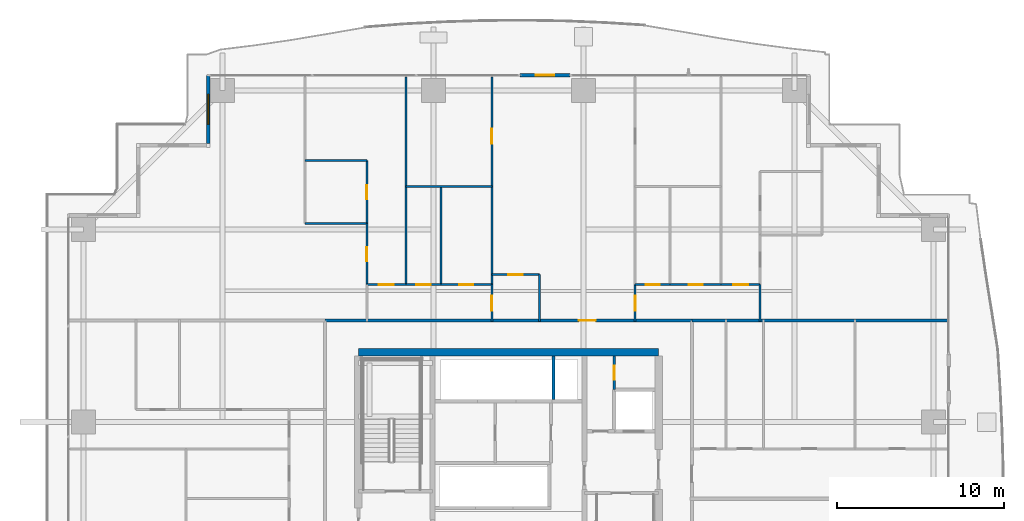
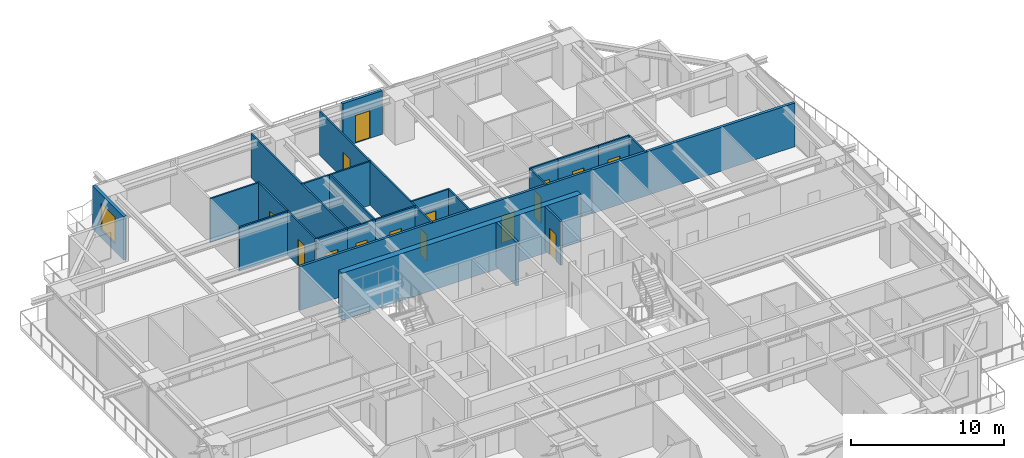
# One storey, part 30 of 38: 27 walls, 15 doors, 1 window, 16 openings.
"""IFC4 building model written with IfcOpenShell, lengths in metres."""

from ifc_helpers import new_model, si_unit, direction, frame, frame_2d, origin, place, context, subcontext, project, spatial, rectangle, extrude, source, transform, mapped, material, layer, layer_set, type_object, element, fill, save


model = new_model("IFC4")

# Units and contexts
model_context = context("Model", 3, precision=1e-05, world=origin(), true_north=direction((0.0, 1.0)))
body_context = subcontext(model_context, "Body", "Model", "MODEL_VIEW")
ifc_project = project(units=[si_unit("LENGTHUNIT", "METRE"), si_unit("AREAUNIT", "SQUARE_METRE"), si_unit("VOLUMEUNIT", "CUBIC_METRE"), si_unit("PLANEANGLEUNIT", "RADIAN"), si_unit("MASSUNIT", "GRAM", prefix="KILO")], contexts=[model_context])

# Site, building, storey
site_placement = place(None, origin())
site = spatial("IfcSite", under=ifc_project, at=site_placement, CompositionType="ELEMENT")
building_placement = place(site_placement, origin())
building = spatial("IfcBuilding", under=site, at=building_placement, Name="Serunith Strait Residences", CompositionType="ELEMENT")
storey_placement = place(building_placement, frame((0.0, 0.0, 52.949951171875)))
storey = spatial("IfcBuildingStorey", under=building, at=storey_placement, Name="L12", CompositionType="ELEMENT", Elevation=52.949951171875)

# Wall, opening, door
ifc_material_1 = material(Name="Pale-Champagne Aluminium Insulated Panel", Category="aluminium")
ifc_layer_1 = layer(ifc_material_1, 0.219970703125, Name="Pale-Champagne Aluminium Insulated Panel")
ifc_layer_set_1 = layer_set([ifc_layer_1], Name="Pale-Champagne Aluminium Insulated Panel")
wall_type_1 = type_object("IfcWallType", Name="EW-ALUM-220", PredefinedType="ELEMENTEDWALL", material=ifc_layer_set_1)
wall_1_placement = place(storey_placement, frame((36.10009765625, 50.199951171875, 0.0), z_axis=(0.0, 0.0, 1.0), x_axis=(-1.0, 0.0, 0.0)))
wall_1 = element("IfcWall", 1, at=wall_1_placement, inside=storey, type_object=wall_type_1, Name="L12 N Facade Pier Wall", PredefinedType="ELEMENTEDWALL", context=body_context, shape_type="SweptSolid", body=[
    extrude(rectangle(XDim=3.0, YDim=0.219970703125, at=frame_2d((1.5, 0.0))), origin(), (0.0, 0.0, 1.0), 3.47509765625),
])
opening_1_placement = place(wall_1_placement, frame((0.949951171875, 0.0, 0.0)))
opening_1 = element("IfcOpeningElement", 2, at=opening_1_placement, cuts=wall_1, Name="Opening ED-03", PredefinedType="OPENING", context=body_context, shape_type="SweptSolid", body=[
    extrude(rectangle(XDim=1.10009765625, YDim=2.199951171875, at=frame_2d((0.550048828125, 1.10009765625))), frame((0.0, 0.1201171875, 0.0), z_axis=(0.0, -1.0, 0.0), x_axis=(1.0, 0.0, 0.0)), (0.0, 0.0, 1.0), 0.239990234375),
])
ifc_material_2 = material(Name="Thermally-Broken Aluminium Glazed Balcony Door", Category="aluminium")
door_type_1 = type_object("IfcDoorType", Name="ED-BALC-1100", OperationType="NOTDEFINED", PredefinedType="DOOR", material=ifc_material_2)
shared_shape_1 = source(origin(), body_context, "Body", "SweptSolid", [
    extrude(rectangle(XDim=1.10009765625, YDim=2.199951171875, at=frame_2d((0.550048828125, 1.10009765625))), frame((0.0, 0.02490234375, 0.0), z_axis=(0.0, -1.0, 0.0), x_axis=(1.0, 0.0, 0.0)), (0.0, 0.0, 1.0), 0.050048828125),
])
door_1_placement = place(opening_1_placement, origin())
door_1 = element("IfcDoor", 3, at=door_1_placement, inside=storey, type_object=door_type_1, Name="L12 N Vertical-Forest Balcony Door", OperationType="SINGLE_SWING_RIGHT", OverallHeight=2.199951171875, OverallWidth=1.10009765625, PredefinedType="DOOR", context=body_context, shape_type="MappedRepresentation", body=[
    mapped(shared_shape_1, transform((0.0, 0.0, 0.0), scale=1.0)),
])
fill(opening_1, door_1)

# Wall, opening, window
wall_2_placement = place(storey_placement, frame((14.39990234375, 50.199951171875, 0.0), z_axis=(0.0, 0.0, 1.0), x_axis=(0.0, -1.0, 0.0)))
wall_2 = element("IfcWall", 4, at=wall_2_placement, inside=storey, type_object=wall_type_1, Name="L12 Girih Serrated Corner Wall 12", PredefinedType="ELEMENTEDWALL", context=body_context, shape_type="SweptSolid", body=[
    extrude(rectangle(XDim=4.08984375, YDim=0.219970703125, at=frame_2d((2.044921875, 0.0))), origin(), (0.0, 0.0, 1.0), 3.47509765625),
])
opening_2_placement = place(wall_2_placement, frame((1.14501953125, 0.0, 0.64990234375)))
opening_2 = element("IfcOpeningElement", 5, at=opening_2_placement, cuts=wall_2, Name="Opening W-01", PredefinedType="OPENING", context=body_context, shape_type="SweptSolid", body=[
    extrude(rectangle(XDim=1.800048828125, YDim=2.10009765625, at=frame_2d((0.89990234375, 1.050048828125))), frame((0.0, 0.1201171875, 0.0), z_axis=(0.0, -1.0, 0.0), x_axis=(1.0, 0.0, 0.0)), (0.0, 0.0, 1.0), 0.239990234375),
])
ifc_material_3 = material(Name="Ceramic-Fritted Operable Aluminium Window Glass", Category="aluminium")
window_type = type_object("IfcWindowType", Name="WIN-C1", PartitioningType="DOUBLE_PANEL_VERTICAL", PredefinedType="WINDOW", material=ifc_material_3)
shared_shape_2 = source(origin(), body_context, "Body", "SweptSolid", [
    extrude(rectangle(XDim=1.800048828125, YDim=2.10009765625, at=frame_2d((0.89990234375, 1.050048828125))), frame((0.0, 0.030029296875, 0.0), z_axis=(0.0, -1.0, 0.0), x_axis=(1.0, 0.0, 0.0)), (0.0, 0.0, 1.0), 0.06005859375),
])
window_placement = place(opening_2_placement, origin())
window = element("IfcWindow", 6, at=window_placement, inside=storey, type_object=window_type, Name="L12 Corner Operable Fritted Window 12", OverallHeight=2.10009765625, OverallWidth=1.800048828125, PartitioningType="SINGLE_PANEL", PredefinedType="WINDOW", context=body_context, shape_type="MappedRepresentation", body=[
    mapped(shared_shape_2, transform((0.0, 0.0, 0.0), scale=1.0)),
])
fill(opening_2, window)

# Wall, opening, door
ifc_material_4 = material(Name="Fire-rated masonry service closet wall", Category="masonry")
ifc_layer_2 = layer(ifc_material_4, 0.14990234375, Name="Fire-rated masonry service closet wall")
ifc_layer_set_2 = layer_set([ifc_layer_2], Name="Fire-rated masonry service closet wall")
wall_type_2 = type_object("IfcWallType", Name="IW-BOH-150", PredefinedType="PARTITIONING", material=ifc_layer_set_2)
wall_3_placement = place(storey_placement, frame((38.75, 31.35205078125, 0.0), z_axis=(0.0, 0.0, 1.0), x_axis=(0.0, 1.0, 0.0)))
wall_3 = element("IfcWall", 7, at=wall_3_placement, inside=storey, type_object=wall_type_2, Name="L12 Partition Wall 012", PredefinedType="PARTITIONING", context=body_context, shape_type="SweptSolid", body=[
    extrude(rectangle(XDim=2.02294921875, YDim=0.14990234375, at=frame_2d((1.011474609375, 0.0))), origin(), (0.0, 0.0, 1.0), 3.489990234375),
])
opening_3_placement = place(wall_3_placement, frame((0.5859375, 0.0, 0.0)))
opening_3 = element("IfcOpeningElement", 8, at=opening_3_placement, cuts=wall_3, Name="Opening FD-850", PredefinedType="OPENING", context=body_context, shape_type="SweptSolid", body=[
    extrude(rectangle(XDim=0.85009765625, YDim=2.10009765625, at=frame_2d((0.425048828125, 1.050048828125))), frame((0.0, 0.0849609375, 0.0), z_axis=(0.0, -1.0, 0.0), x_axis=(1.0, 0.0, 0.0)), (0.0, 0.0, 1.0), 0.169921875),
])
ifc_material_5 = material(Name="Powder-coated steel service closet door", Category="steel")
door_type_2 = type_object("IfcDoorType", Name="FD-BOH-850", OperationType="NOTDEFINED", PredefinedType="DOOR", material=ifc_material_5)
shared_shape_3 = source(origin(), body_context, "Body", "SweptSolid", [
    extrude(rectangle(XDim=0.85009765625, YDim=2.10009765625, at=frame_2d((0.425048828125, 1.050048828125))), frame((0.0, 0.02490234375, 0.0), z_axis=(0.0, -1.0, 0.0), x_axis=(1.0, 0.0, 0.0)), (0.0, 0.0, 1.0), 0.050048828125),
])
door_2_placement = place(opening_3_placement, origin())
door_2 = element("IfcDoor", 9, at=door_2_placement, inside=storey, type_object=door_type_2, Name="L12 ELV Data Closet Door", OperationType="SINGLE_SWING_RIGHT", OverallHeight=2.10009765625, OverallWidth=0.85009765625, PredefinedType="DOOR", context=body_context, shape_type="MappedRepresentation", body=[
    mapped(shared_shape_3, transform((0.0, 0.0, 0.0), scale=1.0)),
])
fill(opening_3, door_2)

ifc_material_6 = material(Name="Fire-rated acoustic gypsum partition")
ifc_layer_3 = layer(ifc_material_6, 0.179931640625, Name="Fire-rated acoustic gypsum partition")
ifc_layer_set_3 = layer_set([ifc_layer_3], Name="Fire-rated acoustic gypsum partition")
wall_type_3 = type_object("IfcWallType", Name="IW-CORR-180", PredefinedType="PARTITIONING", material=ifc_layer_set_3)
wall_4_placement = place(storey_placement, frame((21.402099609375, 35.5, 0.0), z_axis=(0.0, 0.0, 1.0), x_axis=(1.0, 0.0, 0.0)))
wall_4 = element("IfcWall", 10, at=wall_4_placement, inside=storey, type_object=wall_type_3, Name="L12 Partition Wall 023", PredefinedType="PARTITIONING", context=body_context, shape_type="SweptSolid", body=[
    extrude(rectangle(XDim=21.995849609375, YDim=0.179931640625, at=frame_2d((10.998046875, 0.0))), origin(), (0.0, 0.0, 1.0), 3.489990234375),
])
opening_4_placement = place(wall_4_placement, frame((15.221923828125, 0.0, 0.0)))
opening_4 = element("IfcOpeningElement", 11, at=opening_4_placement, cuts=wall_4, Name="Opening D-APT1000", PredefinedType="OPENING", context=body_context, shape_type="SweptSolid", body=[
    extrude(rectangle(XDim=1.0, YDim=2.14990234375, at=frame_2d((0.5, 1.074951171875))), frame((0.0, 0.10009765625, 0.0), z_axis=(0.0, -1.0, 0.0), x_axis=(1.0, 0.0, 0.0)), (0.0, 0.0, 1.0), 0.199951171875),
])
ifc_material_7 = material(Name="Solid timber engineered fire door", Category="wood")
door_type_3 = type_object("IfcDoorType", Name="ID-APT-1000", OperationType="NOTDEFINED", PredefinedType="DOOR", material=ifc_material_7)
shared_shape_4 = source(origin(), body_context, "Body", "SweptSolid", [
    extrude(rectangle(XDim=1.0, YDim=2.14990234375, at=frame_2d((0.5, 1.074951171875))), frame((0.0, 0.02490234375, 0.0), z_axis=(0.0, -1.0, 0.0), x_axis=(1.0, 0.0, 0.0)), (0.0, 0.0, 1.0), 0.050048828125),
])
door_3_placement = place(opening_4_placement, origin())
door_3 = element("IfcDoor", 12, at=door_3_placement, inside=storey, type_object=door_type_3, Name="L12 Unit 04 Entrance Door", OperationType="SINGLE_SWING_RIGHT", OverallHeight=2.14990234375, OverallWidth=1.0, PredefinedType="DOOR", context=body_context, shape_type="MappedRepresentation", body=[
    mapped(shared_shape_4, transform((0.0, 0.0, 0.0), scale=1.0)),
])
fill(opening_4, door_3)

ifc_material_8 = material(Name="Lightweight steel-stud gypsum partition", Category="steel")
ifc_layer_4 = layer(ifc_material_8, 0.1201171875, Name="Lightweight steel-stud gypsum partition")
ifc_layer_set_4 = layer_set([ifc_layer_4], Name="Lightweight steel-stud gypsum partition")
wall_type_4 = type_object("IfcWallType", Name="IW-PART-120", PredefinedType="PARTITIONING", material=ifc_layer_set_4)
wall_5_placement = place(storey_placement, frame((31.39990234375, 38.25, 0.0), z_axis=(0.0, 0.0, 1.0), x_axis=(1.0, 0.0, 0.0)))
wall_5 = element("IfcWall", 13, at=wall_5_placement, inside=storey, type_object=wall_type_4, Name="L12 Partition Wall 063", PredefinedType="PARTITIONING", context=body_context, shape_type="SweptSolid", body=[
    extrude(rectangle(XDim=2.85009765625, YDim=0.1201171875, at=frame_2d((1.425048828125, 0.0))), origin(), (0.0, 0.0, 1.0), 3.489990234375),
])
opening_5_placement = place(wall_5_placement, frame((1.0, 0.0, 0.0)))
opening_5 = element("IfcOpeningElement", 14, at=opening_5_placement, cuts=wall_5, Name="Opening D-RM850", PredefinedType="OPENING", context=body_context, shape_type="SweptSolid", body=[
    extrude(rectangle(XDim=0.85009765625, YDim=2.10009765625, at=frame_2d((0.425048828125, 1.050048828125))), frame((0.0, 0.070068359375, 0.0), z_axis=(0.0, -1.0, 0.0), x_axis=(1.0, 0.0, 0.0)), (0.0, 0.0, 1.0), 0.14013671875),
])
ifc_material_9 = material(Name="Engineered timber flush study and kitchen door", Category="wood")
door_type_4 = type_object("IfcDoorType", Name="ID-ROOM-850", OperationType="NOTDEFINED", PredefinedType="DOOR", material=ifc_material_9)
door_4_placement = place(opening_5_placement, origin())
door_4 = element("IfcDoor", 15, at=door_4_placement, inside=storey, type_object=door_type_4, Name="L12 Kitchen 1204 Door", OperationType="SINGLE_SWING_RIGHT", OverallHeight=2.10009765625, OverallWidth=0.85009765625, PredefinedType="DOOR", context=body_context, shape_type="MappedRepresentation", body=[
    mapped(shared_shape_3, transform((0.0, 0.0, 0.0), scale=1.0)),
])
fill(opening_5, door_4)

# Wall
wall_6_placement = place(storey_placement, frame((34.25, 38.25, 0.0), z_axis=(0.0, 0.0, 1.0), x_axis=(0.0, -1.0, 0.0)))
element("IfcWall", 16, at=wall_6_placement, inside=storey, type_object=wall_type_4, Name="L12 Partition Wall 064", PredefinedType="PARTITIONING", context=body_context, shape_type="SweptSolid", body=[
    extrude(rectangle(XDim=2.81005859375, YDim=0.1201171875, at=frame_2d((1.405029296875, 0.0))), origin(), (0.0, 0.0, 1.0), 3.489990234375),
])

# Wall, opening, door
wall_7_placement = place(storey_placement, frame((31.39990234375, 37.64990234375, 0.0), z_axis=(0.0, 0.0, 1.0), x_axis=(0.0, -1.0, 0.0)))
wall_7 = element("IfcWall", 17, at=wall_7_placement, inside=storey, type_object=wall_type_4, Name="L12 Partition Wall 065", PredefinedType="PARTITIONING", context=body_context, shape_type="SweptSolid", body=[
    extrude(rectangle(XDim=2.2099609375, YDim=0.1201171875, at=frame_2d((1.10498046875, 0.0))), origin(), (0.0, 0.0, 1.0), 3.489990234375),
])
opening_6_placement = place(wall_7_placement, frame((0.655029296875, 0.0, 0.0)))
opening_6 = element("IfcOpeningElement", 18, at=opening_6_placement, cuts=wall_7, Name="Opening D-RM900", PredefinedType="OPENING", context=body_context, shape_type="SweptSolid", body=[
    extrude(rectangle(XDim=0.89990234375, YDim=2.10009765625, at=frame_2d((0.449951171875, 1.050048828125))), frame((0.0, 0.070068359375, 0.0), z_axis=(0.0, -1.0, 0.0), x_axis=(1.0, 0.0, 0.0)), (0.0, 0.0, 1.0), 0.14013671875),
])
ifc_material_10 = material(Name="Engineered timber flush bedroom door", Category="wood")
door_type_5 = type_object("IfcDoorType", Name="ID-ROOM-900", OperationType="NOTDEFINED", PredefinedType="DOOR", material=ifc_material_10)
shared_shape_5 = source(origin(), body_context, "Body", "SweptSolid", [
    extrude(rectangle(XDim=0.89990234375, YDim=2.10009765625, at=frame_2d((0.449951171875, 1.050048828125))), frame((0.0, 0.02490234375, 0.0), z_axis=(0.0, -1.0, 0.0), x_axis=(1.0, 0.0, 0.0)), (0.0, 0.0, 1.0), 0.050048828125),
])
door_5_placement = place(opening_6_placement, origin())
door_5 = element("IfcDoor", 19, at=door_5_placement, inside=storey, type_object=door_type_5, Name="L12 Hall W 1204 Door", OperationType="SINGLE_SWING_LEFT", OverallHeight=2.10009765625, OverallWidth=0.89990234375, PredefinedType="DOOR", context=body_context, shape_type="MappedRepresentation", body=[
    mapped(shared_shape_5, transform((0.0, 0.0, 0.0), scale=1.0)),
])
fill(opening_6, door_5)

wall_8_placement = place(storey_placement, frame((31.39990234375, 50.10498046875, 0.0), z_axis=(0.0, 0.0, 1.0), x_axis=(0.0, -1.0, 0.0)))
wall_8 = element("IfcWall", 20, at=wall_8_placement, inside=storey, type_object=wall_type_4, Name="L12 Partition Wall 066", PredefinedType="PARTITIONING", context=body_context, shape_type="SweptSolid", body=[
    extrude(rectangle(XDim=6.56494140625, YDim=0.1201171875, at=frame_2d((3.282470703125, 0.0))), origin(), (0.0, 0.0, 1.0), 3.489990234375),
])
opening_7_placement = place(wall_8_placement, frame((3.115966796875, 0.0, 0.0)))
opening_7 = element("IfcOpeningElement", 21, at=opening_7_placement, cuts=wall_8, Name="Opening D-RM900", PredefinedType="OPENING", context=body_context, shape_type="SweptSolid", body=[
    extrude(rectangle(XDim=0.89990234375, YDim=2.10009765625, at=frame_2d((0.449951171875, 1.050048828125))), frame((0.0, 0.070068359375, 0.0), z_axis=(0.0, -1.0, 0.0), x_axis=(1.0, 0.0, 0.0)), (0.0, 0.0, 1.0), 0.14013671875),
])
door_6_placement = place(opening_7_placement, origin())
door_6 = element("IfcDoor", 22, at=door_6_placement, inside=storey, type_object=door_type_5, Name="L12 Formal Dining Room 1 1204 Door", OperationType="SINGLE_SWING_RIGHT", OverallHeight=2.10009765625, OverallWidth=0.89990234375, PredefinedType="DOOR", context=body_context, shape_type="MappedRepresentation", body=[
    mapped(shared_shape_5, transform((0.0, 0.0, 0.0), scale=1.0)),
])
fill(opening_7, door_6)

# Walls
wall_9_placement = place(storey_placement, frame((31.39990234375, 43.5380859375, 0.0), z_axis=(0.0, 0.0, 1.0), x_axis=(0.0, -1.0, 0.0)))
element("IfcWall", 23, at=wall_9_placement, inside=storey, type_object=wall_type_4, Name="L12 Partition Wall 067", PredefinedType="PARTITIONING", context=body_context, shape_type="SweptSolid", body=[
    extrude(rectangle(XDim=5.885986328125, YDim=0.1201171875, at=frame_2d((2.94287109375, 0.0))), origin(), (0.0, 0.0, 1.0), 3.489990234375),
])
wall_10_placement = place(storey_placement, frame((26.25, 43.5400390625, 0.0), z_axis=(0.0, 0.0, 1.0), x_axis=(1.0, 0.0, 0.0)))
element("IfcWall", 24, at=wall_10_placement, inside=storey, type_object=wall_type_4, Name="L12 Partition Wall 068", PredefinedType="PARTITIONING", context=body_context, shape_type="SweptSolid", body=[
    extrude(rectangle(XDim=5.14990234375, YDim=0.1201171875, at=frame_2d((2.574951171875, 0.0))), origin(), (0.0, 0.0, 1.0), 3.489990234375),
])
wall_11_placement = place(storey_placement, frame((26.25, 50.10498046875, 0.0), z_axis=(0.0, 0.0, 1.0), x_axis=(0.0, -1.0, 0.0)))
element("IfcWall", 25, at=wall_11_placement, inside=storey, type_object=wall_type_4, Name="L12 Partition Wall 069", PredefinedType="PARTITIONING", context=body_context, shape_type="SweptSolid", body=[
    extrude(rectangle(XDim=12.455078125, YDim=0.1201171875, at=frame_2d((6.2275390625, 0.0))), origin(), (0.0, 0.0, 1.0), 3.489990234375),
])
wall_12_placement = place(storey_placement, frame((28.35009765625, 43.5400390625, 0.0), z_axis=(0.0, 0.0, 1.0), x_axis=(0.0, -1.0, 0.0)))
element("IfcWall", 26, at=wall_12_placement, inside=storey, type_object=wall_type_4, Name="L12 Partition Wall 070", PredefinedType="PARTITIONING", context=body_context, shape_type="SweptSolid", body=[
    extrude(rectangle(XDim=5.89013671875, YDim=0.1201171875, at=frame_2d((2.945068359375, 0.0))), origin(), (0.0, 0.0, 1.0), 3.489990234375),
])

# Wall, opening, door
wall_13_placement = place(storey_placement, frame((26.25, 37.64990234375, 0.0), z_axis=(0.0, 0.0, 1.0), x_axis=(1.0, 0.0, 0.0)))
wall_13 = element("IfcWall", 27, at=wall_13_placement, inside=storey, type_object=wall_type_4, Name="L12 Partition Wall 071", PredefinedType="PARTITIONING", context=body_context, shape_type="SweptSolid", body=[
    extrude(rectangle(XDim=2.10009765625, YDim=0.1201171875, at=frame_2d((1.050048828125, 0.0))), origin(), (0.0, 0.0, 1.0), 3.489990234375),
])
opening_8_placement = place(wall_13_placement, frame((0.625, 0.0, 0.0)))
opening_8 = element("IfcOpeningElement", 28, at=opening_8_placement, cuts=wall_13, Name="Opening D-BTH850", PredefinedType="OPENING", context=body_context, shape_type="SweptSolid", body=[
    extrude(rectangle(XDim=0.85009765625, YDim=2.10009765625, at=frame_2d((0.425048828125, 1.050048828125))), frame((0.0, 0.070068359375, 0.0), z_axis=(0.0, -1.0, 0.0), x_axis=(1.0, 0.0, 0.0)), (0.0, 0.0, 1.0), 0.14013671875),
])
ifc_material_11 = material(Name="Moisture-resistant timber bathroom door", Category="wood")
door_type_6 = type_object("IfcDoorType", Name="ID-BATH-850", OperationType="NOTDEFINED", PredefinedType="DOOR", material=ifc_material_11)
door_7_placement = place(opening_8_placement, origin())
door_7 = element("IfcDoor", 29, at=door_7_placement, inside=storey, type_object=door_type_6, Name="L12 Bathroom 1204 Door", OperationType="SINGLE_SWING_LEFT", OverallHeight=2.10009765625, OverallWidth=0.85009765625, PredefinedType="DOOR", context=body_context, shape_type="MappedRepresentation", body=[
    mapped(shared_shape_3, transform((0.0, 0.0, 0.0), scale=1.0)),
])
fill(opening_8, door_7)

wall_14_placement = place(storey_placement, frame((28.35205078125, 37.64990234375, 0.0), z_axis=(0.0, 0.0, 1.0), x_axis=(1.0, 0.0, 0.0)))
wall_14 = element("IfcWall", 30, at=wall_14_placement, inside=storey, type_object=wall_type_4, Name="L12 Partition Wall 072", PredefinedType="PARTITIONING", context=body_context, shape_type="SweptSolid", body=[
    extrude(rectangle(XDim=3.0478515625, YDim=0.1201171875, at=frame_2d((1.52392578125, 0.0))), origin(), (0.0, 0.0, 1.0), 3.489990234375),
])
opening_9_placement = place(wall_14_placement, frame((1.09912109375, 0.0, 0.0)))
opening_9 = element("IfcOpeningElement", 31, at=opening_9_placement, cuts=wall_14, Name="Opening D-RM850", PredefinedType="OPENING", context=body_context, shape_type="SweptSolid", body=[
    extrude(rectangle(XDim=0.85009765625, YDim=2.10009765625, at=frame_2d((0.425048828125, 1.050048828125))), frame((0.0, 0.070068359375, 0.0), z_axis=(0.0, -1.0, 0.0), x_axis=(1.0, 0.0, 0.0)), (0.0, 0.0, 1.0), 0.14013671875),
])
door_8_placement = place(opening_9_placement, origin())
door_8 = element("IfcDoor", 32, at=door_8_placement, inside=storey, type_object=door_type_4, Name="L12 Formal Dining Room 1204 Door", OperationType="SINGLE_SWING_RIGHT", OverallHeight=2.10009765625, OverallWidth=0.85009765625, PredefinedType="DOOR", context=body_context, shape_type="MappedRepresentation", body=[
    mapped(shared_shape_3, transform((0.0, 0.0, 0.0), scale=1.0)),
])
fill(opening_9, door_8)

wall_15_placement = place(storey_placement, frame((23.89990234375, 37.64990234375, 0.0), z_axis=(0.0, 0.0, 1.0), x_axis=(1.0, 0.0, 0.0)))
wall_15 = element("IfcWall", 33, at=wall_15_placement, inside=storey, type_object=wall_type_4, Name="L12 Partition Wall 073", PredefinedType="PARTITIONING", context=body_context, shape_type="SweptSolid", body=[
    extrude(rectangle(XDim=2.34814453125, YDim=0.1201171875, at=frame_2d((1.174072265625, 0.0))), origin(), (0.0, 0.0, 1.0), 3.489990234375),
])
opening_10_placement = place(wall_15_placement, frame((0.72412109375, 0.0, 0.0)))
opening_10 = element("IfcOpeningElement", 34, at=opening_10_placement, cuts=wall_15, Name="Opening D-RM900", PredefinedType="OPENING", context=body_context, shape_type="SweptSolid", body=[
    extrude(rectangle(XDim=0.89990234375, YDim=2.10009765625, at=frame_2d((0.449951171875, 1.050048828125))), frame((0.0, 0.070068359375, 0.0), z_axis=(0.0, -1.0, 0.0), x_axis=(1.0, 0.0, 0.0)), (0.0, 0.0, 1.0), 0.14013671875),
])
door_9_placement = place(opening_10_placement, origin())
door_9 = element("IfcDoor", 35, at=door_9_placement, inside=storey, type_object=door_type_5, Name="L12 Master Bedroom W 1204 Door", OperationType="SINGLE_SWING_LEFT", OverallHeight=2.10009765625, OverallWidth=0.89990234375, PredefinedType="DOOR", context=body_context, shape_type="MappedRepresentation", body=[
    mapped(shared_shape_5, transform((0.0, 0.0, 0.0), scale=1.0)),
])
fill(opening_10, door_9)

# Walls
for number, where, z_axis, x_axis, name in (
    (36, (20.199951171875, 45.091064453125, 0.0), (0.0, 0.0, 1.0), (1.0, 0.0, 0.0), "L12 Partition Wall 074"),
    (37, (20.199951171875, 41.306884765625, 0.0), (0.0, 0.0, 1.0), (1.0, 0.0, 0.0), "L12 Partition Wall 076"),
):
    element("IfcWall", number, at=place(storey_placement, frame(where, z_axis=z_axis, x_axis=x_axis)), inside=storey, type_object=wall_type_4, Name=name, PredefinedType="PARTITIONING", context=body_context, shape_type="SweptSolid", body=[
        extrude(rectangle(XDim=3.699951171875, YDim=0.1201171875, at=frame_2d((1.85009765625, 0.0))), origin(), (0.0, 0.0, 1.0), 3.489990234375),
    ])

# Wall, opening, door
wall_16_placement = place(storey_placement, frame((23.89990234375, 45.091064453125, 0.0), z_axis=(0.0, 0.0, 1.0), x_axis=(0.0, -1.0, 0.0)))
wall_16 = element("IfcWall", 38, at=wall_16_placement, inside=storey, type_object=wall_type_4, Name="L12 Partition Wall 077", PredefinedType="PARTITIONING", context=body_context, shape_type="SweptSolid", body=[
    extrude(rectangle(XDim=3.7841796875, YDim=0.1201171875, at=frame_2d((1.89208984375, 0.0))), origin(), (0.0, 0.0, 1.0), 3.489990234375),
])
opening_11_placement = place(wall_16_placement, frame((1.467041015625, 0.0, 0.0)))
opening_11 = element("IfcOpeningElement", 39, at=opening_11_placement, cuts=wall_16, Name="Opening D-BTH850", PredefinedType="OPENING", context=body_context, shape_type="SweptSolid", body=[
    extrude(rectangle(XDim=0.85009765625, YDim=2.10009765625, at=frame_2d((0.425048828125, 1.050048828125))), frame((0.0, 0.070068359375, 0.0), z_axis=(0.0, -1.0, 0.0), x_axis=(1.0, 0.0, 0.0)), (0.0, 0.0, 1.0), 0.14013671875),
])
door_10_placement = place(opening_11_placement, origin())
door_10 = element("IfcDoor", 40, at=door_10_placement, inside=storey, type_object=door_type_6, Name="L12 En-suite Bathroom W 1204 Door", OperationType="SINGLE_SWING_RIGHT", OverallHeight=2.10009765625, OverallWidth=0.85009765625, PredefinedType="DOOR", context=body_context, shape_type="MappedRepresentation", body=[
    mapped(shared_shape_3, transform((0.0, 0.0, 0.0), scale=1.0)),
])
fill(opening_11, door_10)

wall_17_placement = place(storey_placement, frame((23.89990234375, 41.304931640625, 0.0), z_axis=(0.0, 0.0, 1.0), x_axis=(0.0, -1.0, 0.0)))
wall_17 = element("IfcWall", 41, at=wall_17_placement, inside=storey, type_object=wall_type_4, Name="L12 Partition Wall 078", PredefinedType="PARTITIONING", context=body_context, shape_type="SweptSolid", body=[
    extrude(rectangle(XDim=3.655029296875, YDim=0.1201171875, at=frame_2d((1.82763671875, 0.0))), origin(), (0.0, 0.0, 1.0), 3.489990234375),
])
opening_12_placement = place(wall_17_placement, frame((1.403076171875, 0.0, 0.0)))
opening_12 = element("IfcOpeningElement", 42, at=opening_12_placement, cuts=wall_17, Name="Opening D-RM850", PredefinedType="OPENING", context=body_context, shape_type="SweptSolid", body=[
    extrude(rectangle(XDim=0.85009765625, YDim=2.10009765625, at=frame_2d((0.425048828125, 1.050048828125))), frame((0.0, 0.070068359375, 0.0), z_axis=(0.0, -1.0, 0.0), x_axis=(1.0, 0.0, 0.0)), (0.0, 0.0, 1.0), 0.14013671875),
])
door_11_placement = place(opening_12_placement, origin())
door_11 = element("IfcDoor", 43, at=door_11_placement, inside=storey, type_object=door_type_4, Name="L12 Wardrobe W 1204 Door", OperationType="SINGLE_SWING_LEFT", OverallHeight=2.10009765625, OverallWidth=0.85009765625, PredefinedType="DOOR", context=body_context, shape_type="MappedRepresentation", body=[
    mapped(shared_shape_3, transform((0.0, 0.0, 0.0), scale=1.0)),
])
fill(opening_12, door_11)

wall_18_placement = place(storey_placement, frame((40.0, 37.64990234375, 0.0), z_axis=(0.0, 0.0, 1.0), x_axis=(0.0, -1.0, 0.0)))
wall_18 = element("IfcWall", 44, at=wall_18_placement, inside=storey, type_object=wall_type_4, Name="L12 Partition Wall 080", PredefinedType="PARTITIONING", context=body_context, shape_type="SweptSolid", body=[
    extrude(rectangle(XDim=2.2099609375, YDim=0.1201171875, at=frame_2d((1.10498046875, 0.0))), origin(), (0.0, 0.0, 1.0), 3.489990234375),
])
opening_13_placement = place(wall_18_placement, frame((0.655029296875, 0.0, 0.0)))
opening_13 = element("IfcOpeningElement", 45, at=opening_13_placement, cuts=wall_18, Name="Opening D-RM900", PredefinedType="OPENING", context=body_context, shape_type="SweptSolid", body=[
    extrude(rectangle(XDim=0.89990234375, YDim=2.10009765625, at=frame_2d((0.449951171875, 1.050048828125))), frame((0.0, 0.070068359375, 0.0), z_axis=(0.0, -1.0, 0.0), x_axis=(1.0, 0.0, 0.0)), (0.0, 0.0, 1.0), 0.14013671875),
])
door_12_placement = place(opening_13_placement, origin())
door_12 = element("IfcDoor", 46, at=door_12_placement, inside=storey, type_object=door_type_5, Name="L12 Hall E 1204 Door", OperationType="SINGLE_SWING_RIGHT", OverallHeight=2.10009765625, OverallWidth=0.89990234375, PredefinedType="DOOR", context=body_context, shape_type="MappedRepresentation", body=[
    mapped(shared_shape_5, transform((0.0, 0.0, 0.0), scale=1.0)),
])
fill(opening_13, door_12)

wall_19_placement = place(storey_placement, frame((40.0, 37.64990234375, 0.0), z_axis=(0.0, 0.0, 1.0), x_axis=(1.0, 0.0, 0.0)))
wall_19 = element("IfcWall", 47, at=wall_19_placement, inside=storey, type_object=wall_type_4, Name="L12 Partition Wall 086", PredefinedType="PARTITIONING", context=body_context, shape_type="SweptSolid", body=[
    extrude(rectangle(XDim=2.10009765625, YDim=0.1201171875, at=frame_2d((1.050048828125, 0.0))), origin(), (0.0, 0.0, 1.0), 3.489990234375),
])
opening_14_placement = place(wall_19_placement, frame((0.625, 0.0, 0.0)))
opening_14 = element("IfcOpeningElement", 48, at=opening_14_placement, cuts=wall_19, Name="Opening D-RM850", PredefinedType="OPENING", context=body_context, shape_type="SweptSolid", body=[
    extrude(rectangle(XDim=0.85009765625, YDim=2.10009765625, at=frame_2d((0.425048828125, 1.050048828125))), frame((0.0, 0.070068359375, 0.0), z_axis=(0.0, -1.0, 0.0), x_axis=(1.0, 0.0, 0.0)), (0.0, 0.0, 1.0), 0.14013671875),
])
door_13_placement = place(opening_14_placement, origin())
door_13 = element("IfcDoor", 49, at=door_13_placement, inside=storey, type_object=door_type_4, Name="L12 Study 1204 Door", OperationType="SINGLE_SWING_RIGHT", OverallHeight=2.10009765625, OverallWidth=0.85009765625, PredefinedType="DOOR", context=body_context, shape_type="MappedRepresentation", body=[
    mapped(shared_shape_3, transform((0.0, 0.0, 0.0), scale=1.0)),
])
fill(opening_14, door_13)

wall_20_placement = place(storey_placement, frame((42.10205078125, 37.64990234375, 0.0), z_axis=(0.0, 0.0, 1.0), x_axis=(1.0, 0.0, 0.0)))
wall_20 = element("IfcWall", 50, at=wall_20_placement, inside=storey, type_object=wall_type_4, Name="L12 Partition Wall 087", PredefinedType="PARTITIONING", context=body_context, shape_type="SweptSolid", body=[
    extrude(rectangle(XDim=3.0478515625, YDim=0.1201171875, at=frame_2d((1.52392578125, 0.0))), origin(), (0.0, 0.0, 1.0), 3.489990234375),
])
opening_15_placement = place(wall_20_placement, frame((1.09912109375, 0.0, 0.0)))
opening_15 = element("IfcOpeningElement", 51, at=opening_15_placement, cuts=wall_20, Name="Opening D-RM850", PredefinedType="OPENING", context=body_context, shape_type="SweptSolid", body=[
    extrude(rectangle(XDim=0.85009765625, YDim=2.10009765625, at=frame_2d((0.425048828125, 1.050048828125))), frame((0.0, 0.070068359375, 0.0), z_axis=(0.0, -1.0, 0.0), x_axis=(1.0, 0.0, 0.0)), (0.0, 0.0, 1.0), 0.14013671875),
])
door_14_placement = place(opening_15_placement, origin())
door_14 = element("IfcDoor", 52, at=door_14_placement, inside=storey, type_object=door_type_4, Name="L12 Formal Dining Room 1204 Door", OperationType="SINGLE_SWING_LEFT", OverallHeight=2.10009765625, OverallWidth=0.85009765625, PredefinedType="DOOR", context=body_context, shape_type="MappedRepresentation", body=[
    mapped(shared_shape_3, transform((0.0, 0.0, 0.0), scale=1.0)),
])
fill(opening_15, door_14)

wall_21_placement = place(storey_placement, frame((45.152099609375, 37.64990234375, 0.0), z_axis=(0.0, 0.0, 1.0), x_axis=(1.0, 0.0, 0.0)))
wall_21 = element("IfcWall", 53, at=wall_21_placement, inside=storey, type_object=wall_type_4, Name="L12 Partition Wall 088", PredefinedType="PARTITIONING", context=body_context, shape_type="SweptSolid", body=[
    extrude(rectangle(XDim=2.347900390625, YDim=0.1201171875, at=frame_2d((1.173828125, 0.0))), origin(), (0.0, 0.0, 1.0), 3.489990234375),
])
opening_16_placement = place(wall_21_placement, frame((0.72412109375, 0.0, 0.0)))
opening_16 = element("IfcOpeningElement", 54, at=opening_16_placement, cuts=wall_21, Name="Opening D-RM900", PredefinedType="OPENING", context=body_context, shape_type="SweptSolid", body=[
    extrude(rectangle(XDim=0.89990234375, YDim=2.10009765625, at=frame_2d((0.449951171875, 1.050048828125))), frame((0.0, 0.070068359375, 0.0), z_axis=(0.0, -1.0, 0.0), x_axis=(1.0, 0.0, 0.0)), (0.0, 0.0, 1.0), 0.14013671875),
])
door_15_placement = place(opening_16_placement, origin())
door_15 = element("IfcDoor", 55, at=door_15_placement, inside=storey, type_object=door_type_5, Name="L12 Master Bedroom E 1204 Door", OperationType="SINGLE_SWING_RIGHT", OverallHeight=2.10009765625, OverallWidth=0.89990234375, PredefinedType="DOOR", context=body_context, shape_type="MappedRepresentation", body=[
    mapped(shared_shape_5, transform((0.0, 0.0, 0.0), scale=1.0)),
])
fill(opening_16, door_15)

# Walls
wall_22_placement = place(storey_placement, frame((47.5, 37.64794921875, 0.0), z_axis=(0.0, 0.0, 1.0), x_axis=(0.0, -1.0, 0.0)))
element("IfcWall", 56, at=wall_22_placement, inside=storey, type_object=wall_type_4, Name="L12 Partition Wall 094", PredefinedType="PARTITIONING", context=body_context, shape_type="SweptSolid", body=[
    extrude(rectangle(XDim=2.2080078125, YDim=0.1201171875, at=frame_2d((1.10400390625, 0.0))), origin(), (0.0, 0.0, 1.0), 3.489990234375),
])
ifc_material_12 = material(Name="Twin-stud acoustic gypsum board partition")
ifc_layer_5 = layer(ifc_material_12, 0.199951171875, Name="Twin-stud acoustic gypsum board partition")
ifc_layer_set_5 = layer_set([ifc_layer_5], Name="Twin-stud acoustic gypsum board partition")
wall_type_5 = type_object("IfcWallType", Name="IW-PARTY-200", PredefinedType="PARTITIONING", material=ifc_layer_set_5)
wall_23_placement = place(storey_placement, frame((43.39990234375, 35.5, 0.0), z_axis=(0.0, 0.0, 1.0), x_axis=(1.0, 0.0, 0.0)))
element("IfcWall", 57, at=wall_23_placement, inside=storey, type_object=wall_type_5, Name="L12 Partition Wall 021", PredefinedType="PARTITIONING", context=body_context, shape_type="SweptSolid", body=[
    extrude(rectangle(XDim=15.318115234375, YDim=0.199951171875, at=frame_2d((7.6591796875, 0.0))), origin(), (0.0, 0.0, 1.0), 3.489990234375),
])
ifc_material_13 = material(Name="Autoclaved aerated concrete blockwork", Category="masonry")
ifc_layer_6 = layer(ifc_material_13, 0.199951171875, Name="Autoclaved aerated concrete blockwork")
ifc_layer_set_6 = layer_set([ifc_layer_6], Name="Autoclaved aerated concrete blockwork")
wall_type_6 = type_object("IfcWallType", Name="IW-SHAFT-200", PredefinedType="STANDARD", material=ifc_layer_set_6)
wall_24_placement = place(storey_placement, frame((35.10009765625, 30.75, 0.0), z_axis=(0.0, 0.0, 1.0), x_axis=(0.0, 1.0, 0.0)))
element("IfcWall", 58, at=wall_24_placement, inside=storey, type_object=wall_type_6, Name="L12 SL-1 West Shaft Wall", PredefinedType="STANDARD", context=body_context, shape_type="SweptSolid", body=[
    extrude(rectangle(XDim=2.625, YDim=0.199951171875, at=frame_2d((1.3125, 0.0))), origin(), (0.0, 0.0, 1.0), 3.489990234375),
])
ifc_material_14 = material(Name="Concrete C80/95", Category="concrete")
ifc_layer_7 = layer(ifc_material_14, 0.449951171875, Name="Concrete C80/95")
ifc_layer_set_7 = layer_set([ifc_layer_7], Name="Concrete C80/95")
wall_type_7 = type_object("IfcWallType", Name="SW-450-C80", PredefinedType="SHEAR", material=ifc_layer_set_7)
wall_25_placement = place(storey_placement, frame((41.39990234375, 33.60009765625, -0.260009765625), z_axis=(0.0, 0.0, 1.0), x_axis=(-1.0, 0.0, 0.0)))
element("IfcWall", 59, at=wall_25_placement, inside=storey, type_object=wall_type_7, Name="L12 Core North Shear Wall", PredefinedType="SHEAR", context=body_context, shape_type="SweptSolid", body=[
    extrude(rectangle(XDim=18.0, YDim=0.449951171875, at=frame_2d((9.0, 0.0))), origin(), (0.0, 0.0, 1.0), 3.748046875),
])

save(model, "model.ifc")
